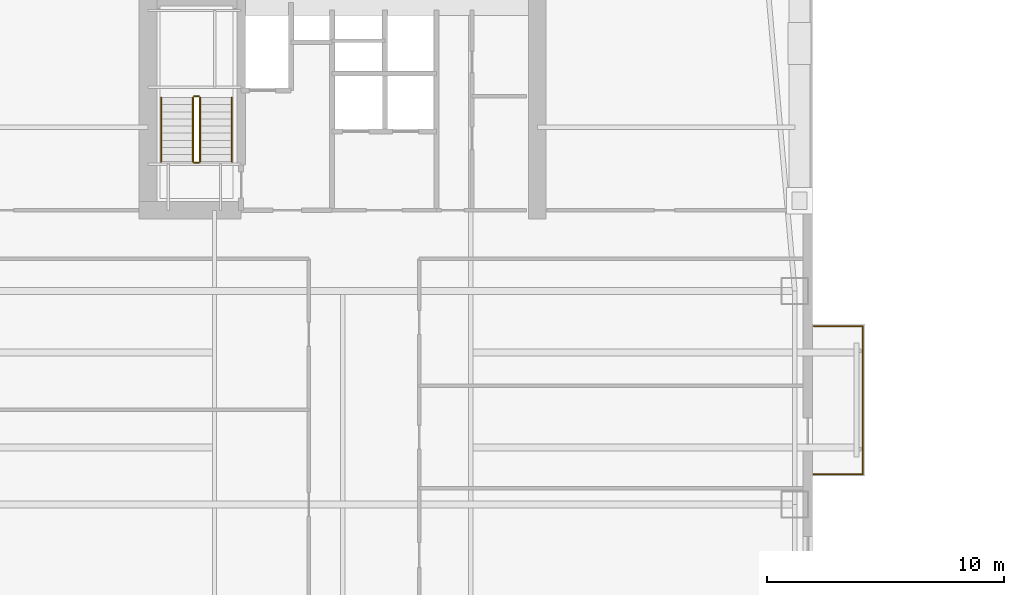
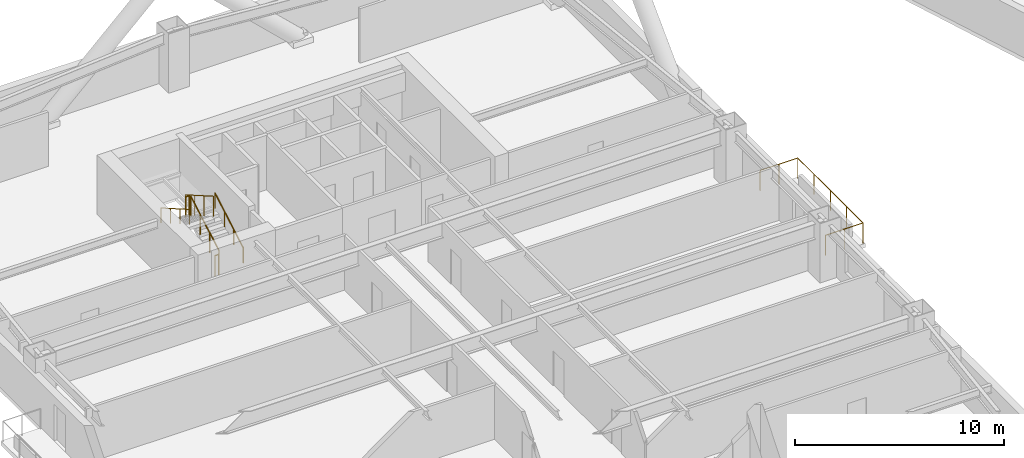
# One storey, part 13 of 15: 7 railings.
"""IFC4 building model written with IfcOpenShell, lengths in metres."""

from ifc_helpers import new_model, si_unit, direction, frame, origin, origin_2d, place, context, subcontext, project, spatial, circle, extrude, material, type_object, element, save


model = new_model("IFC4")

# Units and contexts
model_context = context("Model", 3, precision=1e-05, world=origin(), true_north=direction((0.0, 1.0)))
body_context = subcontext(model_context, "Body", "Model", "MODEL_VIEW")
ifc_project = project(units=[si_unit("LENGTHUNIT", "METRE"), si_unit("AREAUNIT", "SQUARE_METRE"), si_unit("VOLUMEUNIT", "CUBIC_METRE"), si_unit("PLANEANGLEUNIT", "RADIAN"), si_unit("MASSUNIT", "GRAM", prefix="KILO")], contexts=[model_context])

# Site, building, storey
site_placement = place(None, origin())
site = spatial("IfcSite", under=ifc_project, at=site_placement, CompositionType="ELEMENT")
building_placement = place(site_placement, origin())
building = spatial("IfcBuilding", under=site, at=building_placement, Name="Qiaolan Cultural Towers", CompositionType="ELEMENT")
storey_placement = place(building_placement, frame((0.0, 0.0, 71.300048828125)))
storey = spatial("IfcBuildingStorey", under=building, at=storey_placement, Name="L17", CompositionType="ELEMENT", Elevation=71.300048828125)

# Railings
ifc_material_1 = material(Name="Laminated SentryGlas & Stainless Steel S31608 Balustrade", Category="steel")
railing_type_1 = type_object("IfcRailingType", Name="GRD-TERR-1200", PredefinedType="BALUSTRADE", material=ifc_material_1)
railing_1_placement = place(storey_placement, frame((49.85009765625, 35.280029296875, 0.0)))
element("IfcRailing", 1, at=railing_1_placement, inside=storey, type_object=railing_type_1, Name="L17 T1 Tree Balcony Guardrail E", PredefinedType="BALUSTRADE", context=body_context, shape_type="SweptSolid", body=[
    extrude(circle(Radius=0.02392578125, at=origin_2d()), frame((0.0, 0.0, 1.17578125), z_axis=(1.0, 0.0, 0.0), x_axis=(0.0, 1.0, 0.0)), (0.0, 0.0, 1.0), 2.06982421875),
    extrude(circle(Radius=0.02392578125, at=origin_2d()), frame((2.06982421875, 0.0, 1.17578125), z_axis=(0.0, 1.0, 0.0), x_axis=(-1.0, 0.0, 0.0)), (0.0, 0.0, 1.0), 6.239990234375),
    extrude(circle(Radius=0.02392578125, at=origin_2d()), frame((2.06982421875, 6.239990234375, 1.17578125), z_axis=(-1.0, 0.0, 0.0), x_axis=(0.0, -1.0, 0.0)), (0.0, 0.0, 1.0), 2.06982421875),
    extrude(circle(Radius=0.02099609375, at=origin_2d()), origin(), (0.0, 0.0, 1.0), 1.15185546875),
    extrude(circle(Radius=0.02099609375, at=origin_2d()), frame((1.034912109375, 0.0, 0.0)), (0.0, 0.0, 1.0), 1.15185546875),
    extrude(circle(Radius=0.02099609375, at=origin_2d()), frame((2.06982421875, 0.0, 0.0)), (0.0, 0.0, 1.0), 1.15185546875),
    extrude(circle(Radius=0.02099609375, at=origin_2d()), frame((2.06982421875, 1.56005859375, 0.0)), (0.0, 0.0, 1.0), 1.15185546875),
    extrude(circle(Radius=0.02099609375, at=origin_2d()), frame((2.06982421875, 3.1201171875, 0.0)), (0.0, 0.0, 1.0), 1.15185546875),
    extrude(circle(Radius=0.02099609375, at=origin_2d()), frame((2.06982421875, 4.679931640625, 0.0)), (0.0, 0.0, 1.0), 1.15185546875),
    extrude(circle(Radius=0.02099609375, at=origin_2d()), frame((2.06982421875, 6.239990234375, 0.0)), (0.0, 0.0, 1.0), 1.15185546875),
    extrude(circle(Radius=0.02099609375, at=origin_2d()), frame((1.034912109375, 6.239990234375, 0.0)), (0.0, 0.0, 1.0), 1.15185546875),
    extrude(circle(Radius=0.02099609375, at=origin_2d()), frame((0.0, 6.239990234375, 0.0)), (0.0, 0.0, 1.0), 1.15185546875),
])
ifc_material_2 = material(Name="Galvanized Painted Steel Stair Guardrail", Category="steel")
railing_type_2 = type_object("IfcRailingType", Name="RL-STAIR-GRD", PredefinedType="GUARDRAIL", material=ifc_material_2)
railing_2_placement = place(storey_placement, frame((23.989990234375, 48.449951171875, 0.17236328125)))
element("IfcRailing", 2, at=railing_2_placement, inside=storey, type_object=railing_type_2, Name="L17 ST-W2 stair guard 1", PredefinedType="GUARDRAIL", context=body_context, shape_type="SweptSolid", body=[
    extrude(circle(Radius=0.02392578125, at=origin_2d()), frame((0.0, 0.0, 1.17578125), z_axis=(0.0, 0.866903762492, 0.498475542607), x_axis=(-1.0, 0.0, 0.0)), (0.0, 0.0, 1.0), 3.114501953125),
    extrude(circle(Radius=0.02099609375, at=origin_2d()), origin(), (0.0, 0.0, 1.0), 1.15185546875),
    extrude(circle(Radius=0.02099609375, at=origin_2d()), frame((0.0, 0.89990234375, 0.517578125)), (0.0, 0.0, 1.0), 1.15185546875),
    extrude(circle(Radius=0.02099609375, at=origin_2d()), frame((0.0, 1.800048828125, 1.034912109375)), (0.0, 0.0, 1.0), 1.15185546875),
    extrude(circle(Radius=0.02099609375, at=origin_2d()), frame((0.0, 2.699951171875, 1.552490234375)), (0.0, 0.0, 1.0), 1.15185546875),
])
railing_3_placement = place(storey_placement, frame((23.93994140625, 51.199951171875, 1.724853515625)))
element("IfcRailing", 3, at=railing_3_placement, inside=storey, type_object=railing_type_2, Name="L17 ST-W2 stair guard 2", PredefinedType="GUARDRAIL", context=body_context, shape_type="SweptSolid", body=[
    extrude(circle(Radius=0.02392578125, at=origin_2d()), frame((0.0, 0.0, 1.17578125), z_axis=(-1.0, 0.0, 0.0), x_axis=(0.0, -1.0, 0.0)), (0.0, 0.0, 1.0), 0.199951171875),
    extrude(circle(Radius=0.02099609375, at=origin_2d()), origin(), (0.0, 0.0, 1.0), 1.15185546875),
    extrude(circle(Radius=0.02099609375, at=origin_2d()), frame((-0.199951171875, 0.0, 0.0)), (0.0, 0.0, 1.0), 1.15185546875),
])
railing_4_placement = place(storey_placement, frame((23.68994140625, 51.14990234375, 1.8974609375)))
element("IfcRailing", 4, at=railing_4_placement, inside=storey, type_object=railing_type_2, Name="L17 ST-W2 stair guard 3", PredefinedType="GUARDRAIL", context=body_context, shape_type="SweptSolid", body=[
    extrude(circle(Radius=0.02392578125, at=origin_2d()), frame((0.0, 0.0, 1.17578125), z_axis=(0.0, -0.866903762492, 0.498475542607), x_axis=(1.0, 0.0, 0.0)), (0.0, 0.0, 1.0), 3.114501953125),
    extrude(circle(Radius=0.02099609375, at=origin_2d()), origin(), (0.0, 0.0, 1.0), 1.15185546875),
    extrude(circle(Radius=0.02099609375, at=origin_2d()), frame((0.0, -0.89990234375, 0.517578125)), (0.0, 0.0, 1.0), 1.15185546875),
    extrude(circle(Radius=0.02099609375, at=origin_2d()), frame((0.0, -1.800048828125, 1.034912109375)), (0.0, 0.0, 1.0), 1.15185546875),
    extrude(circle(Radius=0.02099609375, at=origin_2d()), frame((0.0, -2.699951171875, 1.552490234375)), (0.0, 0.0, 1.0), 1.15185546875),
])
railing_5_placement = place(storey_placement, frame((23.93994140625, 48.39990234375, 0.0)))
element("IfcRailing", 5, at=railing_5_placement, inside=storey, type_object=railing_type_2, Name="L17 ST-W2 stair guard 4", PredefinedType="GUARDRAIL", context=body_context, shape_type="SweptSolid", body=[
    extrude(circle(Radius=0.02392578125, at=origin_2d()), frame((0.0, 0.0, 1.17578125), z_axis=(-1.0, 0.0, 0.0), x_axis=(0.0, -1.0, 0.0)), (0.0, 0.0, 1.0), 0.199951171875),
    extrude(circle(Radius=0.02099609375, at=origin_2d()), origin(), (0.0, 0.0, 1.0), 1.15185546875),
    extrude(circle(Radius=0.02099609375, at=origin_2d()), frame((-0.199951171875, 0.0, 0.0)), (0.0, 0.0, 1.0), 1.15185546875),
])
ifc_material_3 = material(Name="Stainless Steel S30408 Tubular Handrail", Category="steel")
railing_type_3 = type_object("IfcRailingType", Name="RL-STAIR-HR", PredefinedType="HANDRAIL", material=ifc_material_3)
railing_6_placement = place(storey_placement, frame((25.330078125, 48.449951171875, 0.17236328125)))
element("IfcRailing", 6, at=railing_6_placement, inside=storey, type_object=railing_type_3, Name="L17 ST-W2 stair handrail 1", PredefinedType="HANDRAIL", context=body_context, shape_type="SweptSolid", body=[
    extrude(circle(Radius=0.02392578125, at=origin_2d()), frame((0.0, 0.0, 0.8759765625), z_axis=(0.0, 0.866903762492, 0.498475542607), x_axis=(-1.0, 0.0, 0.0)), (0.0, 0.0, 1.0), 3.114501953125),
    extrude(circle(Radius=0.02099609375, at=origin_2d()), origin(), (0.0, 0.0, 1.0), 0.851806640625),
    extrude(circle(Radius=0.02099609375, at=origin_2d()), frame((0.0, 0.89990234375, 0.517578125)), (0.0, 0.0, 1.0), 0.851806640625),
    extrude(circle(Radius=0.02099609375, at=origin_2d()), frame((0.0, 1.800048828125, 1.034912109375)), (0.0, 0.0, 1.0), 0.851806640625),
    extrude(circle(Radius=0.02099609375, at=origin_2d()), frame((0.0, 2.699951171875, 1.552490234375)), (0.0, 0.0, 1.0), 0.851806640625),
])
railing_7_placement = place(storey_placement, frame((22.35009765625, 51.14990234375, 1.8974609375)))
element("IfcRailing", 7, at=railing_7_placement, inside=storey, type_object=railing_type_3, Name="L17 ST-W2 stair handrail 2", PredefinedType="HANDRAIL", context=body_context, shape_type="SweptSolid", body=[
    extrude(circle(Radius=0.02392578125, at=origin_2d()), frame((0.0, 0.0, 0.8759765625), z_axis=(0.0, -0.866903762492, 0.498475542607), x_axis=(1.0, 0.0, 0.0)), (0.0, 0.0, 1.0), 3.114501953125),
    extrude(circle(Radius=0.02099609375, at=origin_2d()), origin(), (0.0, 0.0, 1.0), 0.851806640625),
    extrude(circle(Radius=0.02099609375, at=origin_2d()), frame((0.0, -0.89990234375, 0.517578125)), (0.0, 0.0, 1.0), 0.851806640625),
    extrude(circle(Radius=0.02099609375, at=origin_2d()), frame((0.0, -1.800048828125, 1.034912109375)), (0.0, 0.0, 1.0), 0.851806640625),
    extrude(circle(Radius=0.02099609375, at=origin_2d()), frame((0.0, -2.699951171875, 1.552490234375)), (0.0, 0.0, 1.0), 0.851806640625),
])

save(model, "model.ifc")
